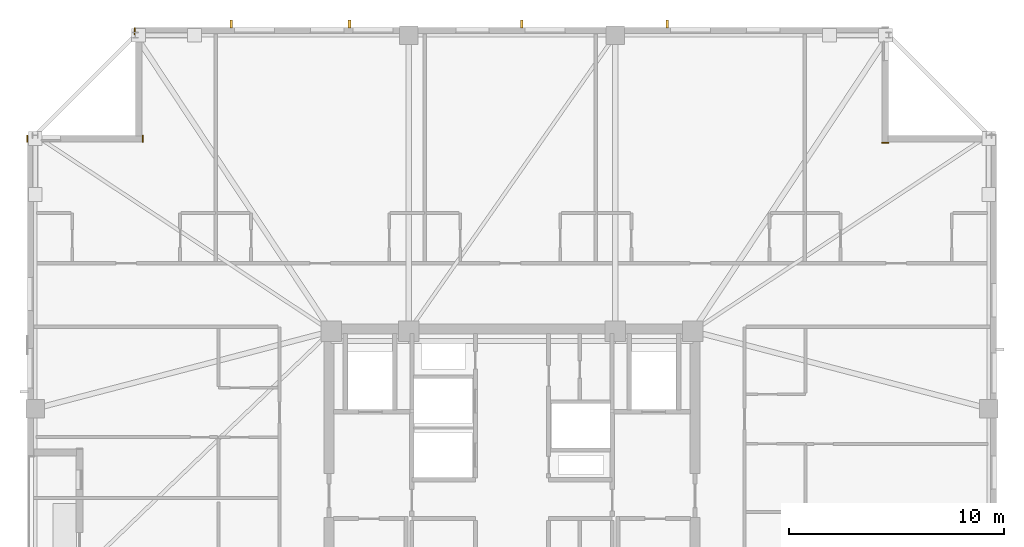
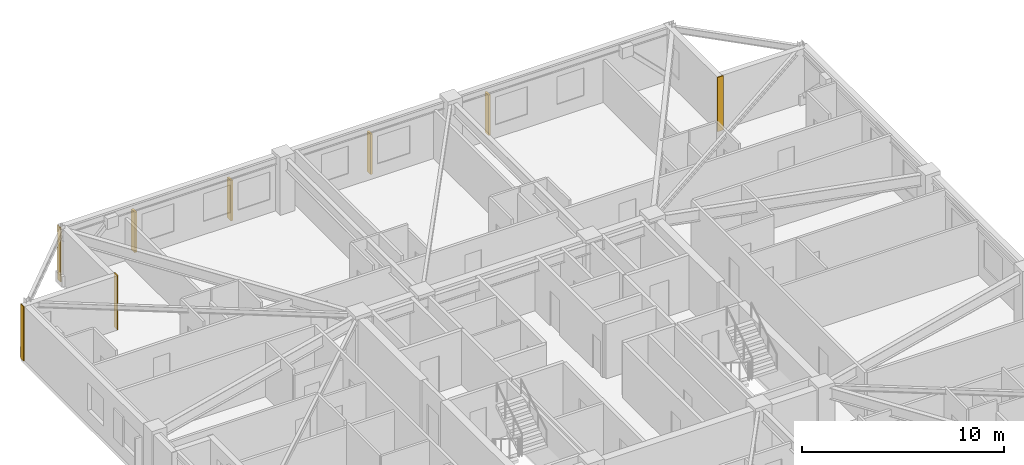
# One storey, part 16 of 17: 4 coverings, 4 shading devices.
"""IFC4 building model written with IfcOpenShell, lengths in metres."""

from ifc_helpers import new_model, si_unit, direction, frame, frame_2d, origin, origin_2d, place, context, subcontext, project, spatial, rectangle, extrude, material, layer, layer_set, type_object, element, save


model = new_model("IFC4")

# Units and contexts
model_context = context("Model", 3, precision=1e-05, world=origin(), true_north=direction((0.0, 1.0)))
body_context = subcontext(model_context, "Body", "Model", "MODEL_VIEW")
ifc_project = project(units=[si_unit("LENGTHUNIT", "METRE"), si_unit("AREAUNIT", "SQUARE_METRE"), si_unit("VOLUMEUNIT", "CUBIC_METRE"), si_unit("PLANEANGLEUNIT", "RADIAN"), si_unit("MASSUNIT", "GRAM", prefix="KILO")], contexts=[model_context])

# Site, building, storey
site_placement = place(None, origin())
site = spatial("IfcSite", under=ifc_project, at=site_placement, CompositionType="ELEMENT")
building_placement = place(site_placement, origin())
building = spatial("IfcBuilding", under=site, at=building_placement, Name="Cairnveth Concourse Tower", CompositionType="ELEMENT")
storey_placement = place(building_placement, frame((0.0, 0.0, 237.5)))
storey = spatial("IfcBuildingStorey", under=building, at=storey_placement, Name="L65", CompositionType="ELEMENT", Elevation=237.5)

# Coverings
ifc_material_1 = material(Name="Dressed Melbourne Bluestone Cladding", Category="masonry")
ifc_layer = layer(ifc_material_1, 0.050048828125)
ifc_layer_set = layer_set([ifc_layer], Name="Dressed Melbourne Bluestone Cladding")
covering_type = type_object("IfcCoveringType", Name="DRESSED BLUESTONE PLINTH CLADDING 50", PredefinedType="CLADDING", material=ifc_layer_set)
for number, where, z_axis, x_axis, name in (
    (1, (29.47998046875, 56.179931640625, 0.0), (0.0, 0.0, 1.0), (0.0, 1.0, 0.0), "Melbourne Bluestone Corner Quoin L65-976"),
    (2, (34.840087890625, 56.179931640625, 0.0), (0.0, 0.0, 1.0), (0.0, 1.0, 0.0), "Melbourne Bluestone Corner Quoin L65-977"),
    (3, (34.47998046875, 61.179931640625, 0.0), (0.0, 0.0, 1.0), (0.0, 1.0, 0.0), "Melbourne Bluestone Corner Quoin L65-978"),
    (4, (69.179931640625, 56.159912109375, 0.0), (0.0, 0.0, 1.0), (1.0, 0.0, 0.0), "Melbourne Bluestone Corner Quoin L65-980"),
):
    element("IfcCovering", number, at=place(storey_placement, frame(where, z_axis=z_axis, x_axis=x_axis)), inside=storey, type_object=covering_type, Name=name, PredefinedType="CLADDING", context=body_context, shape_type="SweptSolid", body=[
        extrude(rectangle(XDim=0.320068359375, YDim=0.050048828125, at=frame_2d((0.16015625, 0.0))), origin(), (0.0, 0.0, 1.0), 3.2900390625),
    ])

# Shading devices
ifc_material_2 = material(Name="Architectural Bronze Anodised Aluminium 6063-T6", Category="aluminium")
shading_device_type = type_object("IfcShadingDeviceType", Name="GOTHIC BRONZE VERTICAL LANCET FIN", PredefinedType="USERDEFINED", material=ifc_material_2)
for number, where, z_axis, x_axis, name in (
    (5, (38.95263671875, 61.675048828125, 0.030029296875), (0.0, 0.0, 1.0), (1.0, 0.0, 0.0), "Gothic Bronze Vertical Fin L65-3-1"),
    (6, (44.453125, 61.675048828125, 0.030029296875), (0.0, 0.0, 1.0), (1.0, 0.0, 0.0), "Gothic Bronze Vertical Fin L65-3-3"),
    (7, (52.45361328125, 61.675048828125, 0.030029296875), (0.0, 0.0, 1.0), (1.0, 0.0, 0.0), "Gothic Bronze Vertical Fin L65-3-5"),
    (8, (59.2041015625, 61.675048828125, 0.030029296875), (0.0, 0.0, 1.0), (1.0, 0.0, 0.0), "Gothic Bronze Vertical Fin L65-3-7"),
):
    element("IfcShadingDevice", number, at=place(storey_placement, frame(where, z_axis=z_axis, x_axis=x_axis)), inside=storey, type_object=shading_device_type, Name=name, ObjectType="VERTICAL FIN", PredefinedType="USERDEFINED", context=body_context, shape_type="SweptSolid", body=[
        extrude(rectangle(XDim=0.1201171875, YDim=0.360107421875, at=origin_2d()), origin(), (0.0, 0.0, 1.0), 2.43798828125),
    ])

save(model, "model.ifc")
